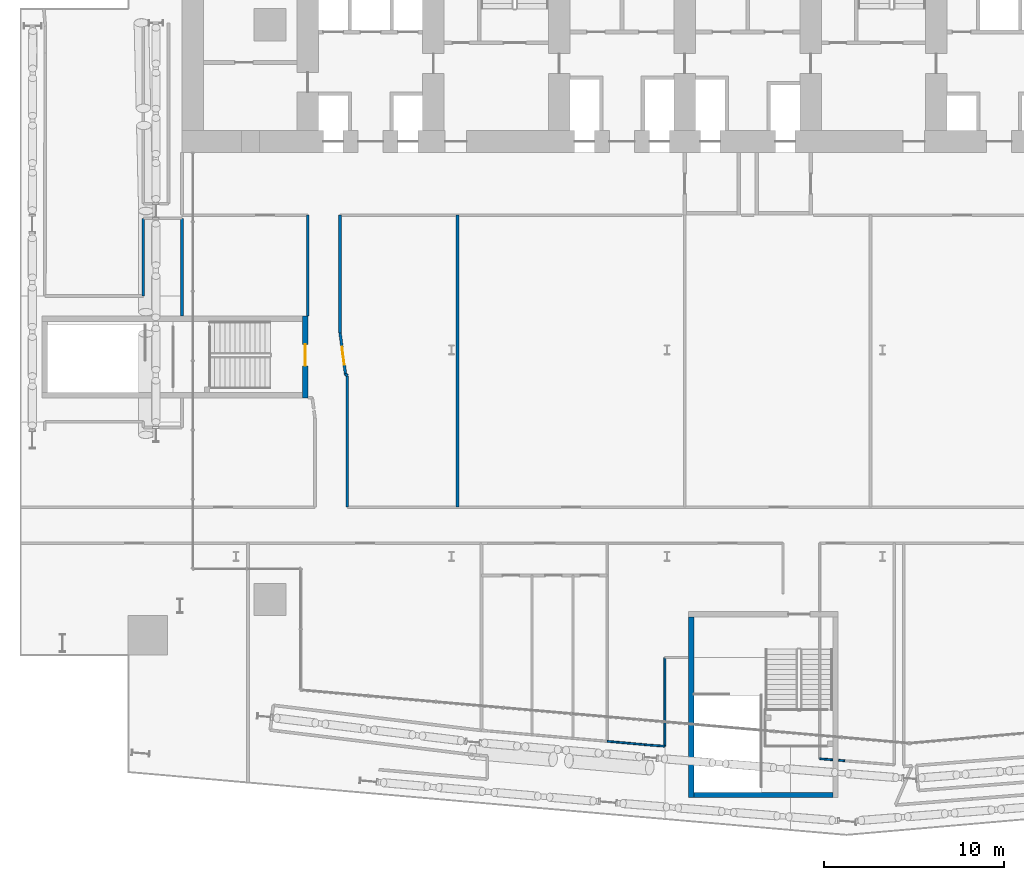
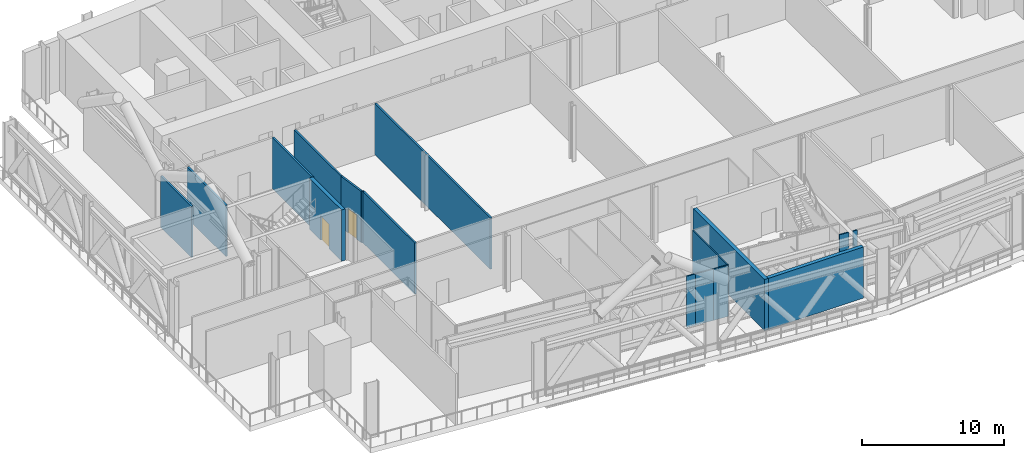
# One storey, part 16 of 39: 17 walls, 2 doors, 2 openings.
"""IFC4 building model written with IfcOpenShell, lengths in metres."""

from ifc_helpers import new_model, si_unit, direction, frame, frame_2d, origin, place, context, subcontext, project, spatial, rectangle, extrude, material, layer, layer_set, type_object, element, fill, save


model = new_model("IFC4")

# Units and contexts
model_context = context("Model", 3, precision=1e-05, world=origin(), true_north=direction((0.0, 1.0)))
body_context = subcontext(model_context, "Body", "Model", "MODEL_VIEW")
ifc_project = project(units=[si_unit("LENGTHUNIT", "METRE"), si_unit("AREAUNIT", "SQUARE_METRE"), si_unit("VOLUMEUNIT", "CUBIC_METRE"), si_unit("PLANEANGLEUNIT", "RADIAN"), si_unit("MASSUNIT", "GRAM", prefix="KILO")], contexts=[model_context])

# Site, building, storey
site_placement = place(None, origin())
site = spatial("IfcSite", under=ifc_project, at=site_placement, CompositionType="ELEMENT")
building_placement = place(site_placement, origin())
building = spatial("IfcBuilding", under=site, at=building_placement, Name="Wharfspan Tower", CompositionType="ELEMENT")
storey_placement = place(building_placement, frame((0.0, 0.0, 91.899902)))
storey = spatial("IfcBuildingStorey", under=building, at=storey_placement, Name="L20", CompositionType="ELEMENT", Elevation=91.899902)

# Walls
ifc_material_1 = material(Name="Gypsum board on steel studs", Category="steel")
ifc_layer_1 = layer(ifc_material_1, 0.100098)
ifc_layer_set_1 = layer_set([ifc_layer_1], Name="Gypsum board on steel studs")
wall_type_1 = type_object("IfcWallType", Name="Partition 100", PredefinedType="PARTITIONING", material=ifc_layer_set_1)
wall_1_placement = place(storey_placement, frame((33.330078, 1.139893, 0.0), z_axis=(0.0, 0.0, 1.0), x_axis=(-0.995885, 0.090602, 0.0)))
element("IfcWall", 1, at=wall_1_placement, inside=storey, type_object=wall_type_1, Name="Partition L20.w055", PredefinedType="PARTITIONING", context=body_context, shape_type="SweptSolid", body=[
    extrude(rectangle(XDim=0.662842, YDim=0.100098, at=frame_2d((0.331543, 0.0))), origin(), (0.0, 0.0, 1.0), 4.400146),
])
wall_2_placement = place(storey_placement, frame((34.745117, 1.014893, 0.0), z_axis=(0.0, 0.0, 1.0), x_axis=(-0.99612, 0.087994, 0.0)))
element("IfcWall", 2, at=wall_2_placement, inside=storey, type_object=wall_type_1, Name="Partition L20.w056", PredefinedType="PARTITIONING", context=body_context, shape_type="SweptSolid", body=[
    extrude(rectangle(XDim=1.420654, YDim=0.100098, at=frame_2d((0.710449, 0.0))), origin(), (0.0, 0.0, 1.0), 4.400146),
])
wall_3_placement = place(storey_placement, frame((35.88501, 0.925049, 0.0), z_axis=(0.0, 0.0, 1.0), x_axis=(-0.997235, 0.074344, 0.0)))
element("IfcWall", 3, at=wall_3_placement, inside=storey, type_object=wall_type_1, Name="Partition L20.w057", PredefinedType="PARTITIONING", context=body_context, shape_type="SweptSolid", body=[
    extrude(rectangle(XDim=1.142822, YDim=0.100098, at=frame_2d((0.571289, 0.0))), origin(), (0.0, 0.0, 1.0), 4.400146),
])
wall_4_placement = place(storey_placement, frame((35.88501, 0.925049, 0.0), z_axis=(0.0, 0.0, 1.0), x_axis=(0.0, 1.0, 0.0)))
element("IfcWall", 4, at=wall_4_placement, inside=storey, type_object=wall_type_1, Name="Partition L20.w058", PredefinedType="PARTITIONING", context=body_context, shape_type="SweptSolid", body=[
    extrude(rectangle(XDim=4.935059, YDim=0.100098, at=frame_2d((2.467529, 0.0))), origin(), (0.0, 0.0, 1.0), 4.400146),
])
wall_5_placement = place(storey_placement, frame((45.235352, 0.16748, 0.0), z_axis=(0.0, 0.0, 1.0), x_axis=(-0.996727, 0.080852, 0.0)))
element("IfcWall", 5, at=wall_5_placement, inside=storey, type_object=wall_type_1, Name="Partition L20.w064", PredefinedType="PARTITIONING", context=body_context, shape_type="SweptSolid", body=[
    extrude(rectangle(XDim=0.727783, YDim=0.100098, at=frame_2d((0.36377, 0.0))), origin(), (0.0, 0.0, 1.0), 4.400146),
])
wall_6_placement = place(storey_placement, frame((45.900879, 0.114014, 0.0), z_axis=(0.0, 0.0, 1.0), x_axis=(-0.996419, 0.084502, 0.0)))
element("IfcWall", 6, at=wall_6_placement, inside=storey, type_object=wall_type_1, Name="Partition L20.w065", PredefinedType="PARTITIONING", context=body_context, shape_type="SweptSolid", body=[
    extrude(rectangle(XDim=0.34668, YDim=0.100098, at=frame_2d((0.17334, 0.0))), origin(), (0.0, 0.0, 1.0), 4.400146),
])
ifc_layer_2 = layer(ifc_material_1, 0.149902)
ifc_layer_set_2 = layer_set([ifc_layer_2], Name="Gypsum board on steel studs")
wall_type_2 = type_object("IfcWallType", Name="Plant room wall 150 EI 120", PredefinedType="PARTITIONING", material=ifc_layer_set_2)
wall_7_placement = place(storey_placement, frame((6.840088, 26.0, 0.0), z_axis=(0.0, 0.0, 1.0), x_axis=(0.0, 1.0, 0.0)))
element("IfcWall", 7, at=wall_7_placement, inside=storey, type_object=wall_type_2, Name="Partition L20.w011", PredefinedType="PARTITIONING", context=body_context, shape_type="SweptSolid", body=[
    extrude(rectangle(XDim=4.324951, YDim=0.149902, at=frame_2d((2.162598, 0.0))), origin(), (0.0, 0.0, 1.0), 4.400146),
])
wall_8_placement = place(storey_placement, frame((9.0, 24.89502, 0.0), z_axis=(0.0, 0.0, 1.0), x_axis=(0.0, 1.0, 0.0)))
element("IfcWall", 8, at=wall_8_placement, inside=storey, type_object=wall_type_2, Name="Partition L20.w017", PredefinedType="PARTITIONING", context=body_context, shape_type="SweptSolid", body=[
    extrude(rectangle(XDim=5.429932, YDim=0.149902, at=frame_2d((2.714844, 0.0))), origin(), (0.0, 0.0, 1.0), 4.400146),
])
wall_9_placement = place(storey_placement, frame((16.0, 24.89502, 0.0), z_axis=(0.0, 0.0, 1.0), x_axis=(0.0, 1.0, 0.0)))
element("IfcWall", 9, at=wall_9_placement, inside=storey, type_object=wall_type_2, Name="Partition L20.w023", PredefinedType="PARTITIONING", context=body_context, shape_type="SweptSolid", body=[
    extrude(rectangle(XDim=5.60498, YDim=0.149902, at=frame_2d((2.80249, 0.0))), origin(), (0.0, 0.0, 1.0), 4.400146),
])
wall_10_placement = place(storey_placement, frame((17.800049, 23.935059, 0.0), z_axis=(0.0, 0.0, 1.0), x_axis=(0.0, 1.0, 0.0)))
element("IfcWall", 10, at=wall_10_placement, inside=storey, type_object=wall_type_2, Name="Partition L20.w028", PredefinedType="PARTITIONING", context=body_context, shape_type="SweptSolid", body=[
    extrude(rectangle(XDim=6.564941, YDim=0.149902, at=frame_2d((3.282471, 0.0))), origin(), (0.0, 0.0, 1.0), 4.400146),
])

# Wall, opening, door
wall_11_placement = place(storey_placement, frame((18.100098, 21.659912, 0.0), z_axis=(0.0, 0.0, 1.0), x_axis=(-0.130749, 0.991416, 0.0)))
wall_11 = element("IfcWall", 11, at=wall_11_placement, inside=storey, type_object=wall_type_2, Name="Partition L20.w030", PredefinedType="PARTITIONING", context=body_context, shape_type="SweptSolid", body=[
    extrude(rectangle(XDim=2.294922, YDim=0.149902, at=frame_2d((1.147461, 0.0))), origin(), (0.0, 0.0, 1.0), 4.400146),
])
opening_1_placement = place(wall_11_placement, frame((0.506348, 0.0, 0.0)))
opening_1 = element("IfcOpeningElement", 12, at=opening_1_placement, cuts=wall_11, Name="Opening BA-18", PredefinedType="OPENING", context=body_context, shape_type="SweptSolid", body=[
    extrude(rectangle(XDim=1.0, YDim=2.100098, at=frame_2d((0.5, 1.050049))), frame((0.0, 0.084961, 0.0), z_axis=(0.0, -1.0, 0.0), x_axis=(1.0, 0.0, 0.0)), (0.0, 0.0, 1.0), 0.169922),
])
ifc_material_2 = material(Name="Fire-rated timber door leaf in steel frame", Category="steel")
door_type_1 = type_object("IfcDoorType", Name="Door 1000 FD60 Left", OperationType="SINGLE_SWING_LEFT", PredefinedType="DOOR", material=ifc_material_2)
door_1_placement = place(opening_1_placement, origin())
door_1 = element("IfcDoor", 13, at=door_1_placement, inside=storey, type_object=door_type_1, Name="Door BA-18", OperationType="SINGLE_SWING_LEFT", OverallHeight=2.100098, OverallWidth=1.0, PredefinedType="DOOR", context=body_context, shape_type="SweptSolid", body=[
    extrude(rectangle(XDim=1.0, YDim=2.100098, at=frame_2d((0.5, 1.050049))), frame((0.0, 0.024902, 0.0), z_axis=(0.0, -1.0, 0.0), x_axis=(1.0, 0.0, 0.0)), (0.0, 0.0, 1.0), 0.050049),
])
fill(opening_1, door_1)

# Walls
wall_12_placement = place(storey_placement, frame((18.199951, 14.23999, 0.0), z_axis=(0.0, 0.0, 1.0), x_axis=(0.0, 1.0, 0.0)))
element("IfcWall", 14, at=wall_12_placement, inside=storey, type_object=wall_type_2, Name="Partition L20.w031", PredefinedType="PARTITIONING", context=body_context, shape_type="SweptSolid", body=[
    extrude(rectangle(XDim=7.310059, YDim=0.149902, at=frame_2d((3.655029, 0.0))), origin(), (0.0, 0.0, 1.0), 4.400146),
])
wall_13_placement = place(storey_placement, frame((18.199951, 21.550049, 0.0), z_axis=(0.0, 0.0, 1.0), x_axis=(-0.672587, 0.74001, 0.0)))
element("IfcWall", 15, at=wall_13_placement, inside=storey, type_object=wall_type_2, Name="Partition L20.w033", PredefinedType="PARTITIONING", context=body_context, shape_type="SweptSolid", body=[
    extrude(rectangle(XDim=0.148438, YDim=0.149902, at=frame_2d((0.074219, 0.0))), origin(), (0.0, 0.0, 1.0), 4.400146),
])
wall_14_placement = place(storey_placement, frame((24.334961, 14.23999, 0.0), z_axis=(0.0, 0.0, 1.0), x_axis=(0.0, 1.0, 0.0)))
element("IfcWall", 16, at=wall_14_placement, inside=storey, type_object=wall_type_2, Name="Partition L20.w034", PredefinedType="PARTITIONING", context=body_context, shape_type="SweptSolid", body=[
    extrude(rectangle(XDim=16.26001, YDim=0.149902, at=frame_2d((8.129883, 0.0))), origin(), (0.0, 0.0, 1.0), 4.400146),
])

# Wall, opening, door
ifc_material_3 = material(Name="Concrete C40/50", Category="concrete")
ifc_layer_3 = layer(ifc_material_3, 0.300049)
ifc_layer_set_3 = layer_set([ifc_layer_3], Name="Concrete C40/50")
wall_type_3 = type_object("IfcWallType", Name="Stair core wall 300", PredefinedType="SHEAR", material=ifc_layer_set_3)
wall_15_placement = place(storey_placement, frame((15.850098, 20.324951, 0.0), z_axis=(0.0, 0.0, 1.0), x_axis=(0.0, 1.0, 0.0)))
wall_15 = element("IfcWall", 17, at=wall_15_placement, inside=storey, type_object=wall_type_3, Name="ST3 stair enclosure wall L20", PredefinedType="SHEAR", context=body_context, shape_type="SweptSolid", body=[
    extrude(rectangle(XDim=4.550049, YDim=0.300049, at=frame_2d((2.274902, 0.0))), origin(), (0.0, 0.0, 1.0), 4.400146),
])
opening_2_placement = place(wall_15_placement, frame((1.774902, 0.0, 0.0)))
opening_2 = element("IfcOpeningElement", 18, at=opening_2_placement, cuts=wall_15, Name="Opening SD3.L20", PredefinedType="OPENING", context=body_context, shape_type="SweptSolid", body=[
    extrude(rectangle(XDim=1.199951, YDim=2.100098, at=frame_2d((0.600098, 1.050049))), frame((0.0, 0.159912, 0.0), z_axis=(0.0, -1.0, 0.0), x_axis=(1.0, 0.0, 0.0)), (0.0, 0.0, 1.0), 0.320068),
])
ifc_material_4 = material(Name="Steel door leaf", Category="steel")
door_type_2 = type_object("IfcDoorType", Name="Stair door 1200x2100", OperationType="SINGLE_SWING_LEFT", PredefinedType="DOOR", material=ifc_material_4)
door_2_placement = place(opening_2_placement, origin())
door_2 = element("IfcDoor", 19, at=door_2_placement, inside=storey, type_object=door_type_2, Name="sd:L20:ST3z2", OperationType="SINGLE_SWING_RIGHT", OverallHeight=2.100098, OverallWidth=1.199951, PredefinedType="DOOR", context=body_context, shape_type="SweptSolid", body=[
    extrude(rectangle(XDim=1.199951, YDim=2.100098, at=frame_2d((0.600098, 1.050049))), frame((0.0, 0.024902, 0.0), z_axis=(0.0, -1.0, 0.0), x_axis=(1.0, 0.0, 0.0)), (0.0, 0.0, 1.0), 0.050049),
])
fill(opening_2, door_2)

# Walls
wall_16_placement = place(storey_placement, frame((37.358398, -1.939453, 0.0), z_axis=(0.0, 0.0, 1.0), x_axis=(0.0, 1.0, 0.0)))
element("IfcWall", 20, at=wall_16_placement, inside=storey, type_object=wall_type_3, Name="ST4 stair enclosure wall L20", PredefinedType="SHEAR", context=body_context, shape_type="SweptSolid", body=[
    extrude(rectangle(XDim=10.056396, YDim=0.300049, at=frame_2d((5.02832, 0.0))), origin(), (0.0, 0.0, 1.0), 4.400146),
])
wall_17_placement = place(storey_placement, frame((37.508301, -1.789307, 0.0), z_axis=(0.0, 0.0, 1.0), x_axis=(1.0, 0.0, 0.0)))
element("IfcWall", 21, at=wall_17_placement, inside=storey, type_object=wall_type_3, Name="ST4 stair enclosure wall L20", PredefinedType="SHEAR", context=body_context, shape_type="SweptSolid", body=[
    extrude(rectangle(XDim=7.727051, YDim=0.300049, at=frame_2d((3.863525, 0.0))), origin(), (0.0, 0.0, 1.0), 4.400146),
])

save(model, "model.ifc")
